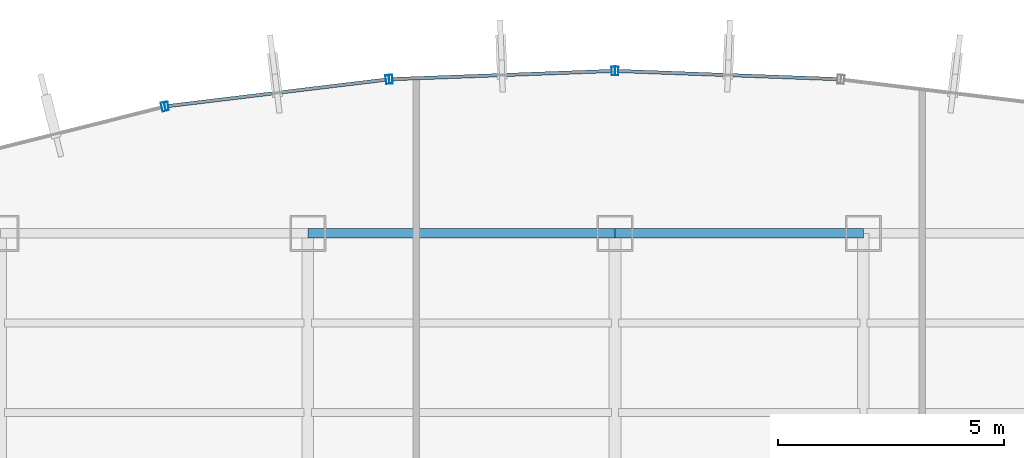
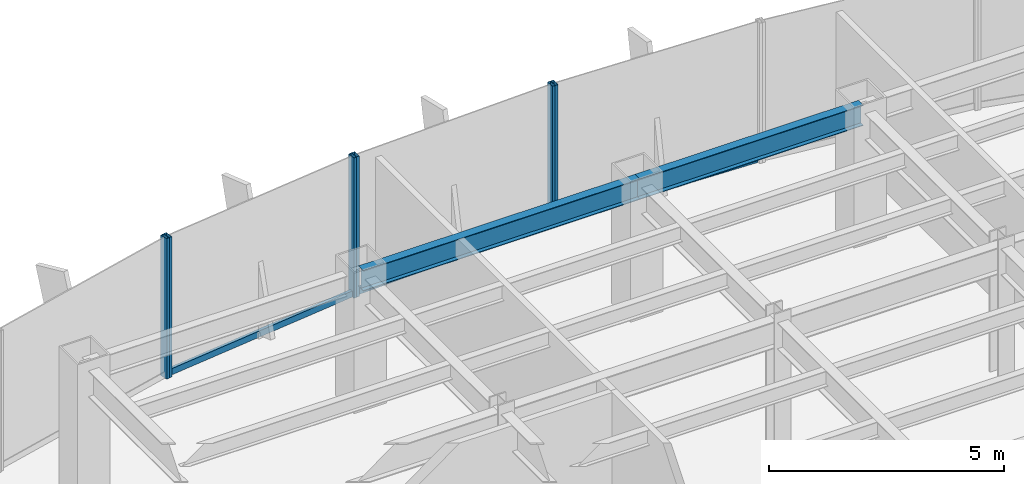
# One storey, part 15 of 25: 9 members, 2 beams, 4 elements without a shape of their own.
"""IFC4 building model written with IfcOpenShell, lengths in metres."""

from ifc_helpers import new_model, si_unit, derived_unit, direction, frame, origin, origin_2d, place, context, subcontext, project, spatial, hollow_rectangle, i_section, extrude, source, transform, mapped, material, material_profile, profile_set, type_object, element, aggregate, save


model = new_model("IFC4")

# Units and contexts
model_context = context("Model", 3, precision=1e-05, world=origin(), true_north=direction((0.0, 1.0)))
body_context = subcontext(model_context, "Body", "Model", "MODEL_VIEW")
ifc_project = project(units=[si_unit("LENGTHUNIT", "METRE"), si_unit("AREAUNIT", "SQUARE_METRE"), si_unit("VOLUMEUNIT", "CUBIC_METRE"), si_unit("PLANEANGLEUNIT", "RADIAN"), si_unit("MASSUNIT", "GRAM", prefix="KILO"), derived_unit("THERMALTRANSMITTANCEUNIT", [(si_unit("POWERUNIT", "WATT"), 1), (si_unit("LENGTHUNIT", "METRE"), -2), (si_unit("THERMODYNAMICTEMPERATUREUNIT", "KELVIN"), -1)])], contexts=[model_context])

# Site, building, storey
site_placement = place(None, origin())
site = spatial("IfcSite", under=ifc_project, at=site_placement, CompositionType="ELEMENT")
building_placement = place(site_placement, origin())
building = spatial("IfcBuilding", under=site, at=building_placement, Name="Skarnbrae Concourse Arena and Tower", CompositionType="ELEMENT")
storey_placement = place(building_placement, frame((0.0, 0.0, 88.64990234375)))
storey = spatial("IfcBuildingStorey", under=building, at=storey_placement, Name="L21", CompositionType="ELEMENT", Elevation=88.64990234375)

# Beams
ifc_material_1 = material(Name="Steel CSA G40.21 350W", Category="steel")
ifc_material_profile_1 = material_profile(ifc_material_1, i_section(OverallWidth=0.208984375, OverallDepth=0.532958984375, WebThickness=0.01025390625, FlangeThickness=0.015625, at=origin_2d()), Name="W530X92")
ifc_profile_set_1 = profile_set([ifc_material_profile_1], Name="Steel CSA G40.21 350W")
beam_type = type_object("IfcBeamType", Name="BM-SPAN-W530X92", PredefinedType="SPANDREL", material=ifc_profile_set_1)
shared_shape_1 = source(origin(), body_context, "Body", "SweptSolid", [
    extrude(i_section(OverallWidth=0.208984375, OverallDepth=0.532958984375, WebThickness=0.01025390625, FlangeThickness=0.015625, at=origin_2d()), origin(), (0.0, 0.0, 1.0), 6.800048828125),
])
beam_1_placement = place(storey_placement, frame((21.199951171875, 40.39990234375, 3.133544921875), z_axis=(1.0, 0.0, 0.0), x_axis=(0.0, 1.0, 0.0)))
element("IfcBeam", 1, at=beam_1_placement, inside=storey, type_object=beam_type, Name="L21 Perimeter spandrel Y40.4-2", PredefinedType="SPANDREL", context=body_context, shape_type="MappedRepresentation", body=[
    mapped(shared_shape_1, transform((0.0, 0.0, 0.0))),
])
shared_shape_2 = source(origin(), body_context, "Body", "SweptSolid", [
    extrude(i_section(OverallWidth=0.208984375, OverallDepth=0.532958984375, WebThickness=0.01025390625, FlangeThickness=0.015625, at=origin_2d()), origin(), (0.0, 0.0, 1.0), 5.5),
])
beam_2_placement = place(storey_placement, frame((28.0, 40.39990234375, 3.133544921875), z_axis=(1.0, 0.0, 0.0), x_axis=(0.0, 1.0, 0.0)))
element("IfcBeam", 2, at=beam_2_placement, inside=storey, type_object=beam_type, Name="L21 Perimeter spandrel Y40.4-3", PredefinedType="SPANDREL", context=body_context, shape_type="MappedRepresentation", body=[
    mapped(shared_shape_2, transform((0.0, 0.0, 0.0))),
])

# Curtain wall, member
ifc_material_2 = material(Name="Bronze anodised aluminium 6063-T6", Category="aluminium")
curtain_wall_type = type_object("IfcCurtainWallType", Name="CW-SYS-04-MIDZONE", PredefinedType="USERDEFINED", material=ifc_material_2)
curtain_wall_1_placement = place(storey_placement, origin())
curtain_wall_1 = element("IfcCurtainWall", 3, at=curtain_wall_1_placement, inside=storey, type_object=curtain_wall_type, Name="L21 Unitised curtain wall CW-L21-E11", ObjectType="UNITISED CURTAIN WALL", PredefinedType="USERDEFINED")
ifc_material_profile_2 = material_profile(ifc_material_2, hollow_rectangle(XDim=0.074951171875, YDim=0.195068359375, WallThickness=0.00439453125, at=origin_2d()), Name="ALU-MULL-75X195")
ifc_profile_set_2 = profile_set([ifc_material_profile_2], Name="Bronze anodised aluminium 6063-T6")
member_type_1 = type_object("IfcMemberType", Name="CWM-CW-04", PredefinedType="MULLION", material=ifc_profile_set_2)
shared_shape_3 = source(origin(), body_context, "Body", "SweptSolid", [
    extrude(hollow_rectangle(XDim=0.074951171875, YDim=0.195068359375, WallThickness=0.00439453125, at=origin_2d()), origin(), (0.0, 0.0, 1.0), 3.650146484375),
])
member_1_placement = place(storey_placement, frame((28.03759765625, 43.99853515625, 0.0), z_axis=(0.0, 0.0, 1.0), x_axis=(-0.999308486252, 0.037182647889, 0.0)))
member_1 = element("IfcMember", 4, at=member_1_placement, type_object=member_type_1, Name="CW-L21-E11 Mullion 2", PredefinedType="MULLION", context=body_context, shape_type="MappedRepresentation", body=[
    mapped(shared_shape_3, transform((0.0, 0.0, 0.0))),
])

# Curtain wall, members
curtain_wall_2_placement = place(storey_placement, origin())
curtain_wall_2 = element("IfcCurtainWall", 5, at=curtain_wall_2_placement, inside=storey, type_object=curtain_wall_type, Name="L21 Unitised curtain wall CW-L21-E12", ObjectType="UNITISED CURTAIN WALL", PredefinedType="USERDEFINED")
member_2_placement = place(storey_placement, frame((27.96240234375, 43.99853515625, 0.0), z_axis=(0.0, 0.0, 1.0), x_axis=(-0.999308486252, -0.037182647889, 0.0)))
member_2 = element("IfcMember", 6, at=member_2_placement, type_object=member_type_1, Name="CW-L21-E12 Mullion 1", PredefinedType="MULLION", context=body_context, shape_type="MappedRepresentation", body=[
    mapped(shared_shape_3, transform((0.0, 0.0, 0.0))),
])
member_3_placement = place(storey_placement, frame((23.03857421875, 43.8154296875, 0.0), z_axis=(0.0, 0.0, 1.0), x_axis=(-0.999308486252, -0.037182647889, 0.0)))
member_3 = element("IfcMember", 7, at=member_3_placement, type_object=member_type_1, Name="CW-L21-E12 Mullion 2", PredefinedType="MULLION", context=body_context, shape_type="MappedRepresentation", body=[
    mapped(shared_shape_3, transform((0.0, 0.0, 0.0))),
])

curtain_wall_3_placement = place(storey_placement, origin())
curtain_wall_3 = element("IfcCurtainWall", 8, at=curtain_wall_3_placement, inside=storey, type_object=curtain_wall_type, Name="L21 Unitised curtain wall CW-L21-E13", ObjectType="UNITISED CURTAIN WALL", PredefinedType="USERDEFINED")
member_4_placement = place(storey_placement, frame((22.9638671875, 43.8095703125, 0.0), z_axis=(0.0, 0.0, 1.0), x_axis=(-0.992749371969, -0.120202680731, 0.0)))
member_4 = element("IfcMember", 9, at=member_4_placement, type_object=member_type_1, Name="CW-L21-E13 Mullion 1", PredefinedType="MULLION", context=body_context, shape_type="MappedRepresentation", body=[
    mapped(shared_shape_3, transform((0.0, 0.0, 0.0))),
])
member_5_placement = place(storey_placement, frame((18.072998046875, 43.21728515625, 0.0), z_axis=(0.0, 0.0, 1.0), x_axis=(-0.992749371969, -0.120202680731, 0.0)))
member_5 = element("IfcMember", 10, at=member_5_placement, type_object=member_type_1, Name="CW-L21-E13 Mullion 2", PredefinedType="MULLION", context=body_context, shape_type="MappedRepresentation", body=[
    mapped(shared_shape_3, transform((0.0, 0.0, 0.0))),
])

# Curtain wall, member
curtain_wall_4_placement = place(storey_placement, origin())
curtain_wall_4 = element("IfcCurtainWall", 11, at=curtain_wall_4_placement, inside=storey, type_object=curtain_wall_type, Name="L21 Unitised curtain wall CW-L21-E14", ObjectType="UNITISED CURTAIN WALL", PredefinedType="USERDEFINED")
member_6_placement = place(storey_placement, frame((17.99951171875, 43.20361328125, 0.0), z_axis=(0.0, 0.0, 1.0), x_axis=(-0.969903046166, -0.243491439351, 0.0)))
member_6 = element("IfcMember", 12, at=member_6_placement, type_object=member_type_1, Name="CW-L21-E14 Mullion 1", PredefinedType="MULLION", context=body_context, shape_type="MappedRepresentation", body=[
    mapped(shared_shape_3, transform((0.0, 0.0, 0.0))),
])
aggregate(curtain_wall_4, [member_6])

# Member
ifc_material_profile_3 = material_profile(ifc_material_2, hollow_rectangle(XDim=0.074951171875, YDim=0.159912109375, WallThickness=0.00439453125, at=origin_2d()), Name="ALU-TRAN-75X160")
ifc_profile_set_3 = profile_set([ifc_material_profile_3], Name="Bronze anodised aluminium 6063-T6")
member_type_2 = type_object("IfcMemberType", Name="CWT-CW-04", PredefinedType="USERDEFINED", material=ifc_profile_set_3)
shared_shape_4 = source(origin(), body_context, "Body", "SweptSolid", [
    extrude(hollow_rectangle(XDim=0.074951171875, YDim=0.159912109375, WallThickness=0.00439453125, at=origin_2d()), origin(), (0.0, 0.0, 1.0), 4.851318359375),
])
member_7_placement = place(storey_placement, frame((22.926513671875, 43.804931640625, 0.080078125), z_axis=(-0.992746710317, -0.120224661172, 0.0), x_axis=(0.120224661172, -0.992746710317, 0.0)))
member_7 = element("IfcMember", 13, at=member_7_placement, type_object=member_type_2, Name="CW-L21-E13 Transom 1", ObjectType="TRANSOM", PredefinedType="USERDEFINED", context=body_context, shape_type="MappedRepresentation", body=[
    mapped(shared_shape_4, transform((0.0, 0.0, 0.0))),
])

aggregate(curtain_wall_3, [member_4, member_5, member_7])

shared_shape_5 = source(origin(), body_context, "Body", "SweptSolid", [
    extrude(hollow_rectangle(XDim=0.074951171875, YDim=0.159912109375, WallThickness=0.00439453125, at=origin_2d()), origin(), (0.0, 0.0, 1.0), 4.8525390625),
])
member_8_placement = place(storey_placement, frame((32.924072265625, 43.81689453125, 0.080078125), z_axis=(-0.999308547576, 0.037180999731, 0.0), x_axis=(-0.037180999731, -0.999308547576, 0.0)))
member_8 = element("IfcMember", 14, at=member_8_placement, type_object=member_type_2, Name="CW-L21-E11 Transom 1", ObjectType="TRANSOM", PredefinedType="USERDEFINED", context=body_context, shape_type="MappedRepresentation", body=[
    mapped(shared_shape_5, transform((0.0, 0.0, 0.0))),
])

aggregate(curtain_wall_1, [member_1, member_8])

member_9_placement = place(storey_placement, frame((27.925048828125, 43.997314453125, 0.080078125), z_axis=(-0.999308547576, -0.037180999731, 0.0), x_axis=(0.037180999731, -0.999308547576, 0.0)))
member_9 = element("IfcMember", 15, at=member_9_placement, type_object=member_type_2, Name="CW-L21-E12 Transom 1", ObjectType="TRANSOM", PredefinedType="USERDEFINED", context=body_context, shape_type="MappedRepresentation", body=[
    mapped(shared_shape_5, transform((0.0, 0.0, 0.0))),
])

aggregate(curtain_wall_2, [member_2, member_3, member_9])

save(model, "model.ifc")
